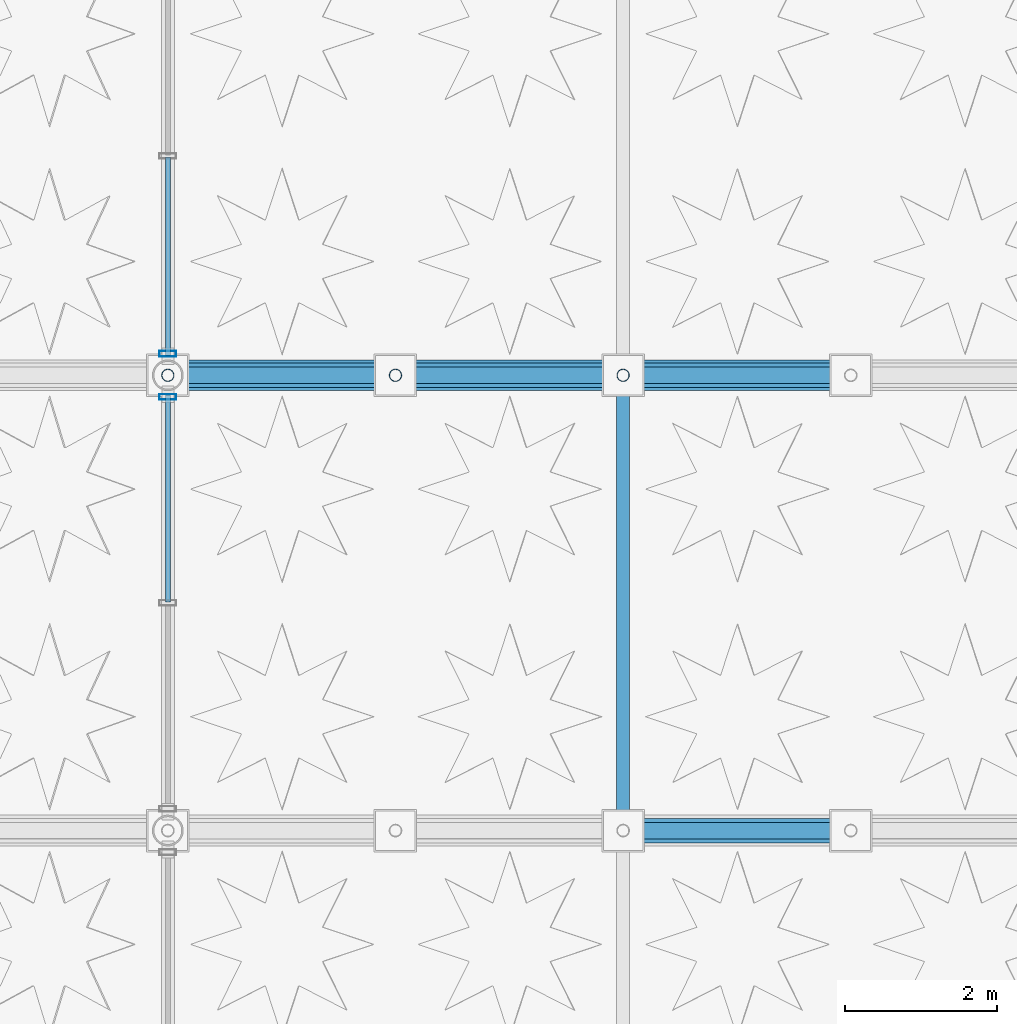
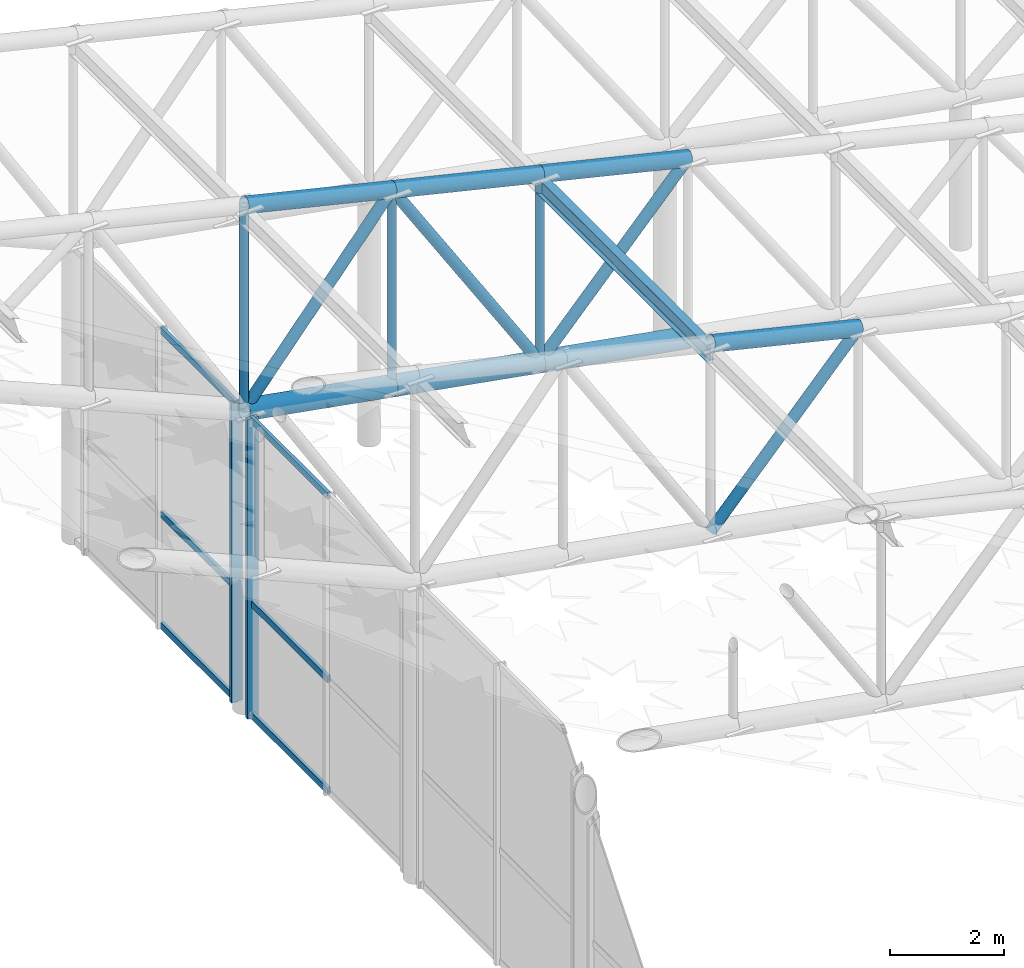
# One storey, part 42 of 112: 22 members, 1 beam, 2 elements without a shape of their own.
"""IFC4 building model written with IfcOpenShell, lengths in metres."""

from ifc_helpers import new_model, si_unit, direction, frame, origin, origin_2d, place, context, subcontext, project, spatial, hollow_rectangle, hollow_circle, i_section, extrude, material, material_profile, profile_set, type_object, element, aggregate, save


model = new_model("IFC4")

# Units and contexts
model_context = context("Model", 3, precision=1e-05, world=origin(), true_north=direction((0.0, 1.0)))
body_context = subcontext(model_context, "Body", "Model", "MODEL_VIEW")
ifc_project = project(units=[si_unit("LENGTHUNIT", "METRE"), si_unit("AREAUNIT", "SQUARE_METRE"), si_unit("VOLUMEUNIT", "CUBIC_METRE"), si_unit("PLANEANGLEUNIT", "RADIAN"), si_unit("MASSUNIT", "GRAM", prefix="KILO"), si_unit("THERMODYNAMICTEMPERATUREUNIT", "KELVIN"), si_unit("POWERUNIT", "WATT")], contexts=[model_context])

# Site, building, storey
site_placement = place(None, origin())
site = spatial("IfcSite", under=ifc_project, at=site_placement, CompositionType="ELEMENT")
building_placement = place(site_placement, origin())
building = spatial("IfcBuilding", under=site, at=building_placement, Name="Phaisarnlok Congress Hotel", CompositionType="ELEMENT")
storey_placement = place(building_placement, frame((0.0, 0.0, 19.800048828125)))
storey = spatial("IfcBuildingStorey", under=building, at=storey_placement, Name="L04", CompositionType="ELEMENT", Elevation=19.800048828125)

# Curtain wall, member
ifc_material_1 = material(Name="Thermally Broken Unitised Aluminium & Low-E Glazing", Category="aluminium")
curtain_wall_type_1 = type_object("IfcCurtainWallType", Name="CW-UNIT-45", PredefinedType="NOTDEFINED", material=ifc_material_1)
curtain_wall_1_placement = place(storey_placement, origin())
curtain_wall_1 = element("IfcCurtainWall", 1, at=curtain_wall_1_placement, inside=storey, type_object=curtain_wall_type_1, Name="Unitised curtain wall CW-45 (L04)", PredefinedType="NOTDEFINED")
ifc_material_2 = material(Name="Anodised Aluminium Alloy 6063-T6", Category="aluminium")
ifc_material_profile_1 = material_profile(ifc_material_2, hollow_rectangle(XDim=0.074951171875, YDim=0.219970703125, WallThickness=0.0048828125, at=origin_2d()), Name="ALU-M 75x220x5")
ifc_profile_set_1 = profile_set([ifc_material_profile_1], Name="Anodised Aluminium Alloy 6063-T6")
member_type_1 = type_object("IfcMemberType", Name="CWM-220", PredefinedType="MULLION", material=ifc_profile_set_1)
member_1_placement = place(storey_placement, frame((120.0, 77.715087890625, -0.010009765625), z_axis=(0.0, 0.0, 1.0), x_axis=(0.0, -1.0, 0.0)))
member_1 = element("IfcMember", 2, at=member_1_placement, type_object=member_type_1, Name="Curtain wall mullion CWM-02", PredefinedType="MULLION", context=body_context, shape_type="SweptSolid", body=[
    extrude(hollow_rectangle(XDim=0.074951171875, YDim=0.219970703125, WallThickness=0.0048828125, at=origin_2d()), origin(), (0.0, 0.0, 1.0), 6.429931640625),
])

curtain_wall_type_2 = type_object("IfcCurtainWallType", Name="CW-UNIT-42", PredefinedType="NOTDEFINED", material=ifc_material_1)
curtain_wall_2_placement = place(storey_placement, origin())
curtain_wall_2 = element("IfcCurtainWall", 3, at=curtain_wall_2_placement, inside=storey, type_object=curtain_wall_type_2, Name="Unitised curtain wall CW-42 (L04)", PredefinedType="NOTDEFINED")
member_2_placement = place(storey_placement, frame((120.0, 78.284912109375, -0.010009765625), z_axis=(0.0, 0.0, 1.0), x_axis=(0.0, -1.0, 0.0)))
member_2 = element("IfcMember", 4, at=member_2_placement, type_object=member_type_1, Name="Curtain wall mullion CWM-02", PredefinedType="MULLION", context=body_context, shape_type="SweptSolid", body=[
    extrude(hollow_rectangle(XDim=0.074951171875, YDim=0.219970703125, WallThickness=0.0048828125, at=origin_2d()), origin(), (0.0, 0.0, 1.0), 6.429931640625),
])

# Member
ifc_material_profile_2 = material_profile(ifc_material_2, hollow_rectangle(XDim=0.06494140625, YDim=0.139892578125, WallThickness=0.00390625, at=origin_2d()), Name="ALU-T 65x140x4")
ifc_profile_set_2 = profile_set([ifc_material_profile_2], Name="Anodised Aluminium Alloy 6063-T6")
member_type_2 = type_object("IfcMemberType", Name="CWT-150", PredefinedType="USERDEFINED", material=ifc_profile_set_2)
member_3_placement = place(storey_placement, frame((120.0, 77.739990234375, 0.0400390625), z_axis=(0.0, -1.0, 0.0), x_axis=(1.0, 0.0, 0.0)))
member_3 = element("IfcMember", 5, at=member_3_placement, type_object=member_type_2, Name="Curtain wall transom CWT-01", ObjectType="TRANSOM", PredefinedType="USERDEFINED", context=body_context, shape_type="SweptSolid", body=[
    extrude(hollow_rectangle(XDim=0.06494140625, YDim=0.139892578125, WallThickness=0.00390625, at=origin_2d()), origin(), (0.0, 0.0, 1.0), 2.72509765625),
])

member_4_placement = place(storey_placement, frame((120.0, 77.739990234375, 2.433349609375), z_axis=(0.0, -1.0, 0.0), x_axis=(1.0, 0.0, 0.0)))
member_4 = element("IfcMember", 6, at=member_4_placement, type_object=member_type_2, Name="Curtain wall transom CWT-01", ObjectType="TRANSOM", PredefinedType="USERDEFINED", context=body_context, shape_type="SweptSolid", body=[
    extrude(hollow_rectangle(XDim=0.06494140625, YDim=0.139892578125, WallThickness=0.00390625, at=origin_2d()), origin(), (0.0, 0.0, 1.0), 2.72509765625),
])

member_5_placement = place(storey_placement, frame((120.0, 77.739990234375, 6.369873046875), z_axis=(0.0, -1.0, 0.0), x_axis=(1.0, 0.0, 0.0)))
member_5 = element("IfcMember", 7, at=member_5_placement, type_object=member_type_2, Name="Curtain wall transom CWT-01", ObjectType="TRANSOM", PredefinedType="USERDEFINED", context=body_context, shape_type="SweptSolid", body=[
    extrude(hollow_rectangle(XDim=0.06494140625, YDim=0.139892578125, WallThickness=0.00390625, at=origin_2d()), origin(), (0.0, 0.0, 1.0), 2.72509765625),
])

aggregate(curtain_wall_1, [member_1, member_3, member_4, member_5])

member_6_placement = place(storey_placement, frame((120.0, 80.875, 0.0400390625), z_axis=(0.0, -1.0, 0.0), x_axis=(1.0, 0.0, 0.0)))
member_6 = element("IfcMember", 8, at=member_6_placement, type_object=member_type_2, Name="Curtain wall transom CWT-01", ObjectType="TRANSOM", PredefinedType="USERDEFINED", context=body_context, shape_type="SweptSolid", body=[
    extrude(hollow_rectangle(XDim=0.06494140625, YDim=0.139892578125, WallThickness=0.00390625, at=origin_2d()), origin(), (0.0, 0.0, 1.0), 2.614990234375),
])

member_7_placement = place(storey_placement, frame((120.0, 80.875, 2.433349609375), z_axis=(0.0, -1.0, 0.0), x_axis=(1.0, 0.0, 0.0)))
member_7 = element("IfcMember", 9, at=member_7_placement, type_object=member_type_2, Name="Curtain wall transom CWT-01", ObjectType="TRANSOM", PredefinedType="USERDEFINED", context=body_context, shape_type="SweptSolid", body=[
    extrude(hollow_rectangle(XDim=0.06494140625, YDim=0.139892578125, WallThickness=0.00390625, at=origin_2d()), origin(), (0.0, 0.0, 1.0), 2.614990234375),
])

member_8_placement = place(storey_placement, frame((120.0, 80.875, 6.369873046875), z_axis=(0.0, -1.0, 0.0), x_axis=(1.0, 0.0, 0.0)))
member_8 = element("IfcMember", 10, at=member_8_placement, type_object=member_type_2, Name="Curtain wall transom CWT-01", ObjectType="TRANSOM", PredefinedType="USERDEFINED", context=body_context, shape_type="SweptSolid", body=[
    extrude(hollow_rectangle(XDim=0.06494140625, YDim=0.139892578125, WallThickness=0.00390625, at=origin_2d()), origin(), (0.0, 0.0, 1.0), 2.614990234375),
])

aggregate(curtain_wall_2, [member_2, member_6, member_7, member_8])

# Beam
ifc_material_3 = material(Name="Steel S355", Category="steel")
ifc_material_profile_3 = material_profile(ifc_material_3, i_section(OverallWidth=0.169921875, OverallDepth=0.360107421875, WebThickness=0.008056640625, FlangeThickness=0.0126953125, FilletRadius=0.01806640625, at=origin_2d()), Name="IPE 360")
ifc_profile_set_3 = profile_set([ifc_material_profile_3], Name="Steel S355")
beam_type = type_object("IfcBeamType", Name="JS-STL-IPE360", PredefinedType="JOIST", material=ifc_profile_set_3)
beam_placement = place(storey_placement, frame((126.0, 72.0, 9.16845703125), z_axis=(0.0, 1.0, 0.0), x_axis=(-1.0, 0.0, 0.0)))
element("IfcBeam", 11, at=beam_placement, inside=storey, type_object=beam_type, Name="Cloister wing roof purlin", PredefinedType="JOIST", context=body_context, shape_type="SweptSolid", body=[
    extrude(i_section(OverallWidth=0.169921875, OverallDepth=0.360107421875, WebThickness=0.008056640625, FlangeThickness=0.0126953125, FilletRadius=0.01806640625, at=origin_2d()), origin(), (0.0, 0.0, 1.0), 6.0),
])

# Members
ifc_material_profile_4 = material_profile(ifc_material_3, hollow_circle(Radius=0.084228515625, WallThickness=0.010009765625, at=origin_2d()), Name="CHS 168.3x10")
ifc_profile_set_4 = profile_set([ifc_material_profile_4], Name="Steel S355")
member_type_3 = type_object("IfcMemberType", Name="MEM-BRC-CHS168", PredefinedType="BRACE", material=ifc_profile_set_4)
member_9_placement = place(storey_placement, frame((126.0, 78.0, 5.333251953125), z_axis=(0.0, 0.0, 1.0), x_axis=(1.0, 0.0, 0.0)))
element("IfcMember", 12, at=member_9_placement, inside=storey, type_object=member_type_3, Name="Cloister wing roof truss vertical web", PredefinedType="BRACE", context=body_context, shape_type="SweptSolid", body=[
    extrude(hollow_circle(Radius=0.084228515625, WallThickness=0.010009765625, at=origin_2d()), origin(), (0.0, 0.0, 1.0), 4.027099609375),
])
member_10_placement = place(storey_placement, frame((123.0, 78.0, 5.86669921875), z_axis=(0.0, 0.0, 1.0), x_axis=(1.0, 0.0, 0.0)))
element("IfcMember", 13, at=member_10_placement, inside=storey, type_object=member_type_3, Name="Cloister wing roof truss vertical web", PredefinedType="BRACE", context=body_context, shape_type="SweptSolid", body=[
    extrude(hollow_circle(Radius=0.084228515625, WallThickness=0.010009765625, at=origin_2d()), origin(), (0.0, 0.0, 1.0), 4.209716796875),
])
member_11_placement = place(storey_placement, frame((120.0, 78.0, 6.39990234375), z_axis=(0.0, 0.0, 1.0), x_axis=(1.0, 0.0, 0.0)))
element("IfcMember", 14, at=member_11_placement, inside=storey, type_object=member_type_3, Name="Cloister wing roof truss vertical web", PredefinedType="BRACE", context=body_context, shape_type="SweptSolid", body=[
    extrude(hollow_circle(Radius=0.084228515625, WallThickness=0.010009765625, at=origin_2d()), origin(), (0.0, 0.0, 1.0), 4.392578125),
])
ifc_material_profile_5 = material_profile(ifc_material_3, hollow_circle(Radius=0.109619140625, WallThickness=0.012451171875, at=origin_2d()), Name="CHS 219.1x12.5")
ifc_profile_set_5 = profile_set([ifc_material_profile_5], Name="Steel S355")
member_type_4 = type_object("IfcMemberType", Name="MEM-BRC-CHS219", PredefinedType="BRACE", material=ifc_profile_set_5)
for number, where, z_axis, x_axis, name in (
    (15, (126.0, 72.0, 5.333251953125), (0.671442541254, 0.0, 0.741056619831), (0.0, 1.0, 0.0), "Cloister wing roof truss diagonal brace"),
    (16, (126.0, 78.0, 5.333251953125), (0.671442541254, 0.0, 0.741056619831), (0.0, 1.0, 0.0), "Cloister wing roof truss diagonal brace"),
):
    element("IfcMember", number, at=place(storey_placement, frame(where, z_axis=z_axis, x_axis=x_axis)), inside=storey, type_object=member_type_4, Name=name, PredefinedType="BRACE", context=body_context, shape_type="SweptSolid", body=[
        extrude(hollow_circle(Radius=0.109619140625, WallThickness=0.012451171875, at=origin_2d()), origin(), (0.0, 0.0, 1.0), 4.468017578125),
    ])
member_12_placement = place(storey_placement, frame((126.0, 78.0, 5.333251953125), z_axis=(-0.534542802575, 0.0, 0.845141403681), x_axis=(0.0, -1.0, 0.0)))
element("IfcMember", 17, at=member_12_placement, inside=storey, type_object=member_type_4, Name="Cloister wing roof truss diagonal brace", PredefinedType="BRACE", context=body_context, shape_type="SweptSolid", body=[
    extrude(hollow_circle(Radius=0.109619140625, WallThickness=0.012451171875, at=origin_2d()), origin(), (0.0, 0.0, 1.0), 5.6123046875),
])
member_13_placement = place(storey_placement, frame((120.0, 78.0, 6.39990234375), z_axis=(0.632220210367, 0.0, 0.774788749017), x_axis=(0.0, 1.0, 0.0)))
element("IfcMember", 18, at=member_13_placement, inside=storey, type_object=member_type_4, Name="Cloister wing roof truss diagonal brace", PredefinedType="BRACE", context=body_context, shape_type="SweptSolid", body=[
    extrude(hollow_circle(Radius=0.109619140625, WallThickness=0.012451171875, at=origin_2d()), origin(), (0.0, 0.0, 1.0), 4.7451171875),
])
ifc_material_profile_6 = material_profile(ifc_material_3, hollow_circle(Radius=0.161865234375, WallThickness=0.01611328125, at=origin_2d()), Name="CHS 323.9x16")
ifc_profile_set_6 = profile_set([ifc_material_profile_6], Name="Steel S355")
member_type_5 = type_object("IfcMemberType", Name="MEM-CHD-CHS324", PredefinedType="CHORD", material=ifc_profile_set_6)
for number, where, z_axis, x_axis, name in (
    (19, (129.0, 72.0, 8.644287109375), (-0.972676115692, 0.0, 0.232166263617), (0.0, -1.0, 0.0), "Cloister wing roof truss top chord"),
    (20, (129.0, 78.0, 8.644287109375), (-0.972676115692, 0.0, 0.232166263617), (0.0, -1.0, 0.0), "Cloister wing roof truss top chord"),
    (21, (126.0, 78.0, 9.3603515625), (-0.972676115692, 0.0, 0.232166263617), (0.0, -1.0, 0.0), "Cloister wing roof truss top chord"),
    (22, (123.0, 78.0, 10.076416015625), (-0.972676115692, 0.0, 0.232166263617), (0.0, -1.0, 0.0), "Cloister wing roof truss top chord"),
):
    element("IfcMember", number, at=place(storey_placement, frame(where, z_axis=z_axis, x_axis=x_axis)), inside=storey, type_object=member_type_5, Name=name, PredefinedType="CHORD", context=body_context, shape_type="SweptSolid", body=[
        extrude(hollow_circle(Radius=0.161865234375, WallThickness=0.01611328125, at=origin_2d()), origin(), (0.0, 0.0, 1.0), 3.084228515625),
    ])
ifc_material_profile_7 = material_profile(ifc_material_3, hollow_circle(Radius=0.203125, WallThickness=0.02001953125, at=origin_2d()), Name="CHS 406.4x20")
ifc_profile_set_7 = profile_set([ifc_material_profile_7], Name="Steel S355")
member_type_6 = type_object("IfcMemberType", Name="MEM-CHD-CHS406", PredefinedType="CHORD", material=ifc_profile_set_7)
for number, where, z_axis, x_axis, name in (
    (23, (129.0, 78.0, 4.800048828125), (-0.984569871158, 0.0, 0.174991910694), (0.0, -1.0, 0.0), "Cloister wing roof truss bottom chord"),
    (24, (126.0, 78.0, 5.333251953125), (-0.984556063496, 0.0, 0.175069579976), (0.0, -1.0, 0.0), "Cloister wing roof truss bottom chord"),
    (25, (123.0, 78.0, 5.86669921875), (-0.984569871158, 0.0, 0.174991910694), (0.0, -1.0, 0.0), "Cloister wing roof truss bottom chord"),
):
    element("IfcMember", number, at=place(storey_placement, frame(where, z_axis=z_axis, x_axis=x_axis)), inside=storey, type_object=member_type_6, Name=name, PredefinedType="CHORD", context=body_context, shape_type="SweptSolid", body=[
        extrude(hollow_circle(Radius=0.203125, WallThickness=0.02001953125, at=origin_2d()), origin(), (0.0, 0.0, 1.0), 3.047119140625),
    ])

save(model, "model.ifc")
